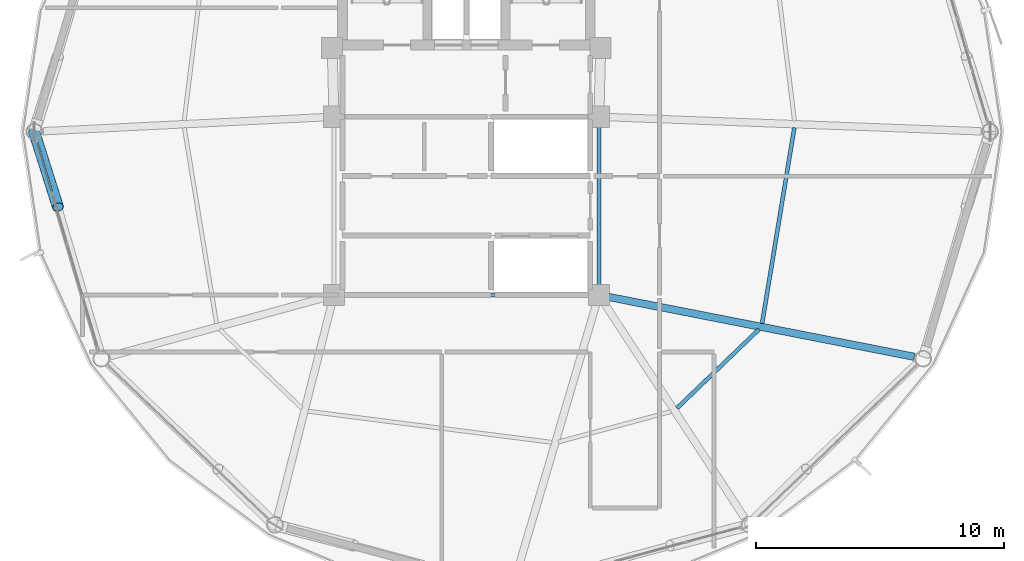
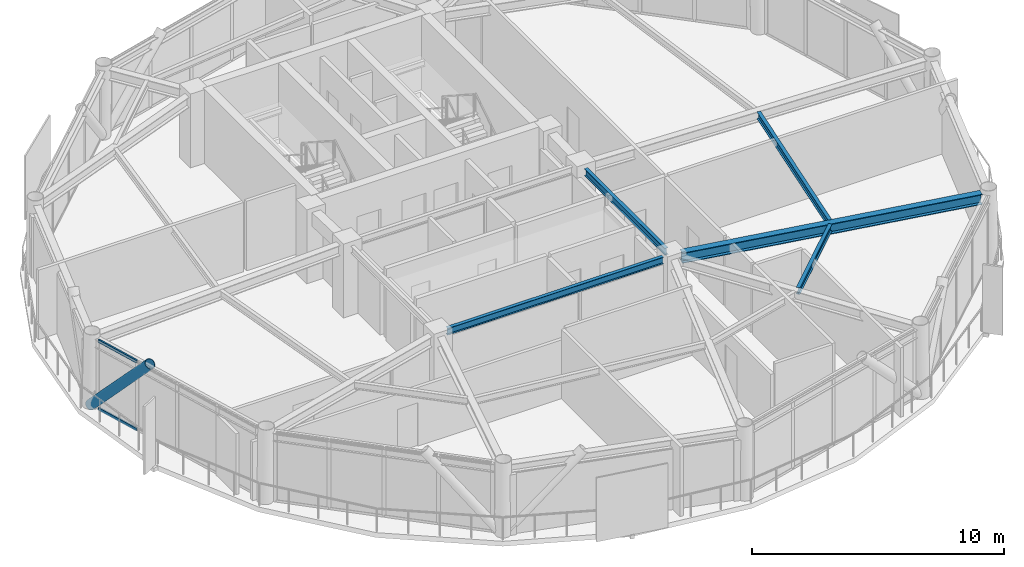
# One storey, part 10 of 28: 5 beams, 3 members, 1 element without a shape of its own.
"""IFC4 building model written with IfcOpenShell, lengths in metres."""

from ifc_helpers import new_model, si_unit, direction, frame, origin, origin_2d, place, context, subcontext, project, spatial, hollow_rectangle, hollow_circle, i_section, extrude, material, layer, layer_set, material_profile, profile_set, type_object, element, aggregate, save


model = new_model("IFC4")

# Units and contexts
model_context = context("Model", 3, precision=1e-05, world=origin(), true_north=direction((0.0, 1.0)))
body_context = subcontext(model_context, "Body", "Model", "MODEL_VIEW")
ifc_project = project(units=[si_unit("LENGTHUNIT", "METRE"), si_unit("AREAUNIT", "SQUARE_METRE"), si_unit("VOLUMEUNIT", "CUBIC_METRE"), si_unit("PLANEANGLEUNIT", "RADIAN"), si_unit("MASSUNIT", "GRAM", prefix="KILO")], contexts=[model_context])

# Site, building, storey
site_placement = place(None, origin())
site = spatial("IfcSite", under=ifc_project, at=site_placement, CompositionType="ELEMENT")
building_placement = place(site_placement, origin())
building = spatial("IfcBuilding", under=site, at=building_placement, Name="Varnakorn Sky Granary", CompositionType="ELEMENT")
storey_placement = place(building_placement, frame((0.0, 0.0, 204.0)))
storey = spatial("IfcBuildingStorey", under=building, at=storey_placement, Name="L51", CompositionType="ELEMENT", Elevation=204.0)

# Beams
ifc_material_1 = material(Name="Steel S355JR", Category="steel")
ifc_material_profile_1 = material_profile(ifc_material_1, i_section(OverallWidth=0.300048828125, OverallDepth=0.5, WebThickness=0.014404296875, FlangeThickness=0.028076171875, at=origin_2d()), Name="HE 500 B")
ifc_profile_set_1 = profile_set([ifc_material_profile_1], Name="Steel S355JR")
beam_type_1 = type_object("IfcBeamType", Name="BM-RAD-Z4", PredefinedType="BEAM", material=ifc_profile_set_1)
beam_1_placement = place(storey_placement, frame((8.747314453125, -6.677734375, 3.110107421875), z_axis=(0.981353340009, -0.192212439904, 0.0), x_axis=(0.192212439904, 0.981353340009, 0.0)))
element("IfcBeam", 1, at=beam_1_placement, inside=storey, type_object=beam_type_1, Name="Radial Floor Girder RG12 L51", PredefinedType="BEAM", context=body_context, shape_type="SweptSolid", body=[
    extrude(i_section(OverallWidth=0.300048828125, OverallDepth=0.5, WebThickness=0.014404296875, FlangeThickness=0.028076171875, at=origin_2d()), origin(), (0.0, 0.0, 1.0), 12.5732421875),
])
ifc_material_profile_2 = material_profile(ifc_material_1, i_section(OverallWidth=0.159912109375, OverallDepth=0.330078125, WebThickness=0.007568359375, FlangeThickness=0.011474609375, at=origin_2d()), Name="IPE 330")
ifc_profile_set_2 = profile_set([ifc_material_profile_2], Name="Steel S355JR")
beam_type_2 = type_object("IfcBeamType", Name="BM-SEC-Z4", PredefinedType="BEAM", material=ifc_profile_set_2)
beam_2_placement = place(storey_placement, frame((11.501708984375, -11.169189453125, 3.195068359375), z_axis=(0.720909596363, 0.693029114736, 0.0), x_axis=(-0.693029114736, 0.720909596363, 0.0)))
element("IfcBeam", 2, at=beam_2_placement, inside=storey, type_object=beam_type_2, Name="Secondary Floor Chord Beam MSB11 L51", PredefinedType="BEAM", context=body_context, shape_type="SweptSolid", body=[
    extrude(i_section(OverallWidth=0.159912109375, OverallDepth=0.330078125, WebThickness=0.007568359375, FlangeThickness=0.011474609375, at=origin_2d()), origin(), (0.0, 0.0, 1.0), 4.59716796875),
])
beam_3_placement = place(storey_placement, frame((14.939697265625, -7.748046875, 3.195068359375), z_axis=(0.162511724451, 0.986706612634, 0.0), x_axis=(-0.986706612634, 0.162511724451, 0.0)))
element("IfcBeam", 3, at=beam_3_placement, inside=storey, type_object=beam_type_2, Name="Secondary Floor Chord Beam MSB12 L51", PredefinedType="BEAM", context=body_context, shape_type="SweptSolid", body=[
    extrude(i_section(OverallWidth=0.159912109375, OverallDepth=0.330078125, WebThickness=0.007568359375, FlangeThickness=0.011474609375, at=origin_2d()), origin(), (0.0, 0.0, 1.0), 8.0146484375),
])
beam_4_placement = place(storey_placement, frame((8.35009765625, 0.195068359375, 3.195068359375), z_axis=(0.0, -1.0, 0.0), x_axis=(1.0, 0.0, 0.0)))
element("IfcBeam", 4, at=beam_4_placement, inside=storey, type_object=beam_type_2, Name="Core Spine Framing Beam 4 L51", PredefinedType="BEAM", context=body_context, shape_type="SweptSolid", body=[
    extrude(i_section(OverallWidth=0.159912109375, OverallDepth=0.330078125, WebThickness=0.007568359375, FlangeThickness=0.011474609375, at=origin_2d()), origin(), (0.0, 0.0, 1.0), 6.39013671875),
])
beam_5_placement = place(storey_placement, frame((-1.945068359375, -6.60009765625, 3.195068359375), z_axis=(1.0, 0.0, 0.0), x_axis=(0.0, 1.0, 0.0)))
element("IfcBeam", 5, at=beam_5_placement, inside=storey, type_object=beam_type_2, Name="Core Spine Framing Beam 6 L51", PredefinedType="BEAM", context=body_context, shape_type="SweptSolid", body=[
    extrude(i_section(OverallWidth=0.159912109375, OverallDepth=0.330078125, WebThickness=0.007568359375, FlangeThickness=0.011474609375, at=origin_2d()), origin(), (0.0, 0.0, 1.0), 9.89013671875),
])

# Curtain wall, members
ifc_material_2 = material(Name="Anodised Bronze Aluminium Alloy 6063-T6", Category="aluminium")
ifc_layer = layer(ifc_material_2, 0.169921875, Name="Anodised Bronze Aluminium Alloy 6063-T6")
ifc_layer_set = layer_set([ifc_layer], Name="Anodised Bronze Aluminium Alloy 6063-T6")
curtain_wall_type = type_object("IfcCurtainWallType", Name="CW-LAB-1", PredefinedType="USERDEFINED", material=ifc_layer_set)
curtain_wall_placement = place(storey_placement, origin())
curtain_wall = element("IfcCurtainWall", 6, at=curtain_wall_placement, inside=storey, type_object=curtain_wall_type, Name="Unitised Curtain Wall CW5 CW-L51-B07", ObjectType="CURTAIN WALL", PredefinedType="USERDEFINED")
ifc_material_profile_3 = material_profile(ifc_material_2, hollow_rectangle(XDim=0.070068359375, YDim=0.139892578125, WallThickness=0.00341796875, at=origin_2d()), Name="ALU TRAN 70x140")
ifc_profile_set_3 = profile_set([ifc_material_profile_3], Name="Anodised Bronze Aluminium Alloy 6063-T6")
member_type_1 = type_object("IfcMemberType", Name="CW-LAB-1-TRAN", PredefinedType="USERDEFINED", material=ifc_profile_set_3)
member_1_placement = place(storey_placement, frame((-13.736083984375, -2.448974609375, 0.034912109375), z_axis=(-0.282764765974, 0.959189286389, 0.0), x_axis=(-0.959189286389, -0.282764765974, 0.0)))
member_1 = element("IfcMember", 7, at=member_1_placement, type_object=member_type_1, Name="CW5 transom 4.1", ObjectType="TRANSOM", PredefinedType="USERDEFINED", context=body_context, shape_type="SweptSolid", body=[
    extrude(hollow_rectangle(XDim=0.070068359375, YDim=0.139892578125, WallThickness=0.00341796875, at=origin_2d()), origin(), (0.0, 0.0, 1.0), 2.09814453125),
])
member_2_placement = place(storey_placement, frame((-13.736083984375, -2.448974609375, 3.324951171875), z_axis=(-0.282764765974, 0.959189286389, 0.0), x_axis=(-0.959189286389, -0.282764765974, 0.0)))
member_2 = element("IfcMember", 8, at=member_2_placement, type_object=member_type_1, Name="CW5 transom 4.2", ObjectType="TRANSOM", PredefinedType="USERDEFINED", context=body_context, shape_type="SweptSolid", body=[
    extrude(hollow_rectangle(XDim=0.070068359375, YDim=0.139892578125, WallThickness=0.00341796875, at=origin_2d()), origin(), (0.0, 0.0, 1.0), 2.09814453125),
])
aggregate(curtain_wall, [member_1, member_2])

# Member
ifc_material_3 = material(Name="Steel S460M", Category="steel")
ifc_material_profile_4 = material_profile(ifc_material_3, hollow_circle(Radius=0.228515625, WallThickness=0.01611328125, at=origin_2d()), Name="CHS 457x16")
ifc_profile_set_4 = profile_set([ifc_material_profile_4], Name="Steel S460M")
member_type_2 = type_object("IfcMemberType", Name="MB-DIAG-T3", PredefinedType="BRACE", material=ifc_profile_set_4)
member_3_placement = place(storey_placement, frame((-14.4580078125, 0.0, 0.0), z_axis=(0.204046972169, -0.64441312585, 0.736950850722), x_axis=(0.953349541866, 0.301868598936, 0.0)))
element("IfcMember", 9, at=member_3_placement, inside=storey, type_object=member_type_2, Name="Perimeter CHS Diagrid Brace DG07 L51", PredefinedType="BRACE", context=body_context, shape_type="SweptSolid", body=[
    extrude(hollow_circle(Radius=0.228515625, WallThickness=0.01611328125, at=origin_2d()), origin(), (0.0, 0.0, 1.0), 4.735595703125),
])

save(model, "model.ifc")
